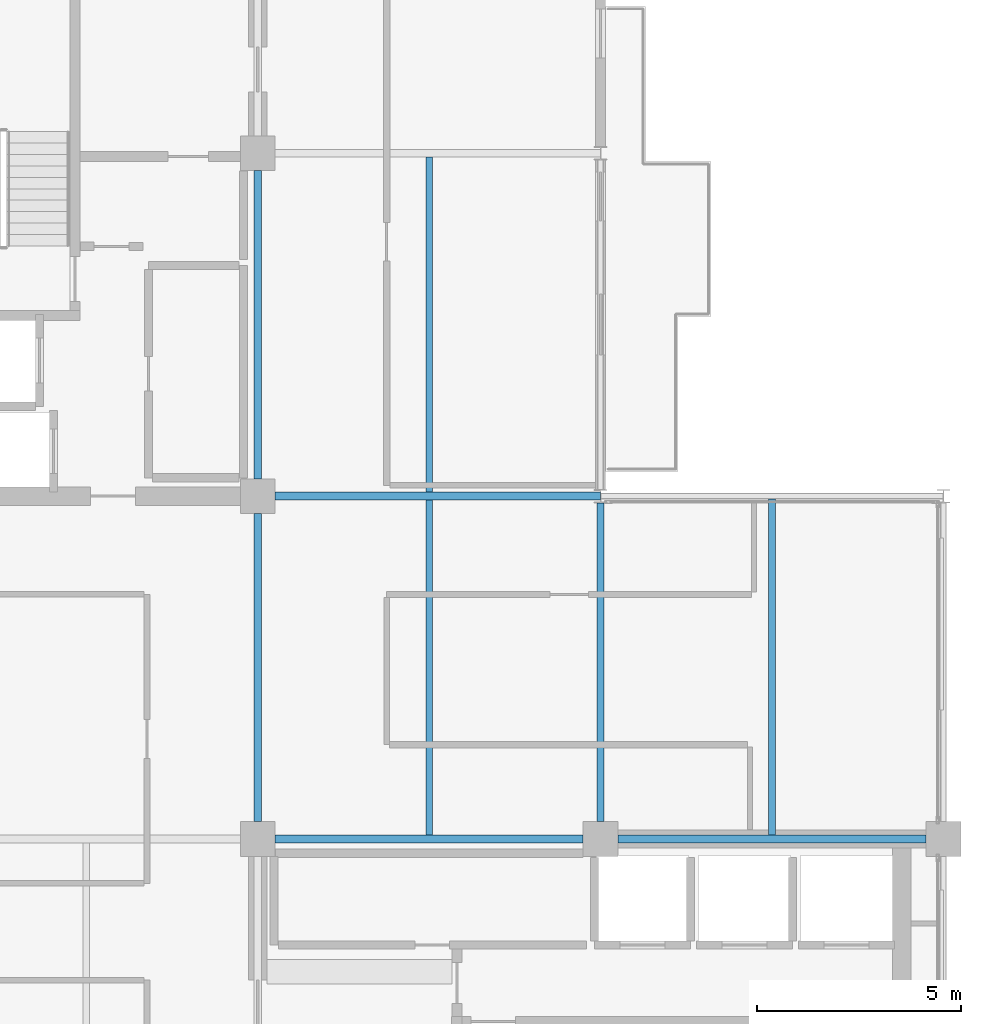
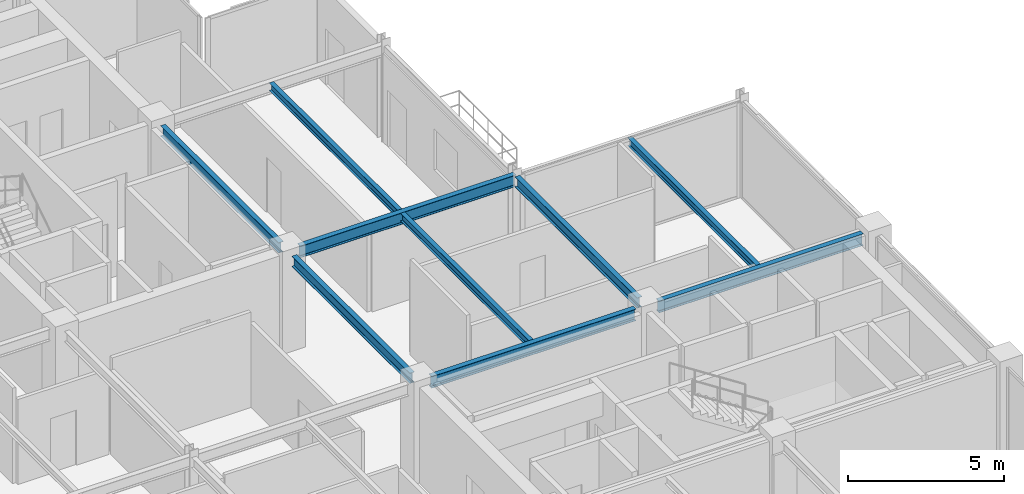
# One storey, part 12 of 24: 9 beams.
"""IFC4 building model written with IfcOpenShell, lengths in metres."""

from ifc_helpers import new_model, si_unit, direction, frame, origin, origin_2d, place, context, subcontext, project, spatial, i_section, extrude, material, material_profile, profile_set, type_object, element, save


model = new_model("IFC4")

# Units and contexts
model_context = context("Model", 3, precision=1e-05, world=origin(), true_north=direction((0.0, 1.0)))
body_context = subcontext(model_context, "Body", "Model", "MODEL_VIEW")
ifc_project = project(units=[si_unit("LENGTHUNIT", "METRE"), si_unit("AREAUNIT", "SQUARE_METRE"), si_unit("VOLUMEUNIT", "CUBIC_METRE"), si_unit("PLANEANGLEUNIT", "RADIAN"), si_unit("MASSUNIT", "GRAM", prefix="KILO")], contexts=[model_context])

# Site, building, storey
site_placement = place(None, origin())
site = spatial("IfcSite", under=ifc_project, at=site_placement, CompositionType="ELEMENT")
building_placement = place(site_placement, origin())
building = spatial("IfcBuilding", under=site, at=building_placement, Name="Nerrivon Quay Data Exchange", CompositionType="ELEMENT")
storey_placement = place(building_placement, frame((0.0, 0.0, 306.199951171875)))
storey = spatial("IfcBuildingStorey", under=building, at=storey_placement, Name="L73", CompositionType="ELEMENT", Elevation=306.199951171875)

# Beams
ifc_material = material(Name="Steel Grade 350", Category="steel")
ifc_material_profile_1 = material_profile(ifc_material, i_section(OverallWidth=0.18994140625, OverallDepth=0.4541015625, WebThickness=0.008544921875, FlangeThickness=0.0126953125, FilletRadius=0.011474609375, at=origin_2d()), Name="460UB67.1")
ifc_profile_set_1 = profile_set([ifc_material_profile_1], Name="Steel Grade 350")
beam_type_1 = type_object("IfcBeamType", Name="BM-G6-460UB67", PredefinedType="BEAM", material=ifc_profile_set_1)
beam_1_placement = place(storey_placement, frame((17.22509765625, 16.800048828125, 3.498046875), z_axis=(1.0, 0.0, 0.0), x_axis=(0.0, 1.0, 0.0)))
element("IfcBeam", 1, at=beam_1_placement, inside=storey, type_object=beam_type_1, Name="L73 EW Girder Y=16.8 (16.8..25.2)", PredefinedType="BEAM", context=body_context, shape_type="SweptSolid", body=[
    extrude(i_section(OverallWidth=0.18994140625, OverallDepth=0.4541015625, WebThickness=0.008544921875, FlangeThickness=0.0126953125, FilletRadius=0.011474609375, at=origin_2d()), origin(), (0.0, 0.0, 1.0), 7.5498046875),
])
beam_2_placement = place(storey_placement, frame((25.625, 16.800048828125, 3.498046875), z_axis=(1.0, 0.0, 0.0), x_axis=(0.0, 1.0, 0.0)))
element("IfcBeam", 2, at=beam_2_placement, inside=storey, type_object=beam_type_1, Name="L73 EW Girder Y=16.8 (25.2..33.6)", PredefinedType="BEAM", context=body_context, shape_type="SweptSolid", body=[
    extrude(i_section(OverallWidth=0.18994140625, OverallDepth=0.4541015625, WebThickness=0.008544921875, FlangeThickness=0.0126953125, FilletRadius=0.011474609375, at=origin_2d()), origin(), (0.0, 0.0, 1.0), 7.550048828125),
])
beam_3_placement = place(storey_placement, frame((17.22509765625, 25.199951171875, 3.498046875), z_axis=(1.0, 0.0, 0.0), x_axis=(0.0, 1.0, 0.0)))
element("IfcBeam", 3, at=beam_3_placement, inside=storey, type_object=beam_type_1, Name="L73 EW Girder Y=25.2 (16.8..25.2)", PredefinedType="BEAM", context=body_context, shape_type="SweptSolid", body=[
    extrude(i_section(OverallWidth=0.18994140625, OverallDepth=0.4541015625, WebThickness=0.008544921875, FlangeThickness=0.0126953125, FilletRadius=0.011474609375, at=origin_2d()), origin(), (0.0, 0.0, 1.0), 7.967041015625),
])
ifc_material_profile_2 = material_profile(ifc_material, i_section(OverallWidth=0.177978515625, OverallDepth=0.406005859375, WebThickness=0.0078125, FlangeThickness=0.0126953125, FilletRadius=0.011474609375, at=origin_2d()), Name="410UB59.7")
ifc_profile_set_2 = profile_set([ifc_material_profile_2], Name="Steel Grade 350")
beam_type_2 = type_object("IfcBeamType", Name="BM-J1-410UB60", PredefinedType="JOIST", material=ifc_profile_set_2)
beam_4_placement = place(storey_placement, frame((16.800048828125, 17.22509765625, 3.52197265625), z_axis=(0.0, 1.0, 0.0), x_axis=(-1.0, 0.0, 0.0)))
element("IfcBeam", 4, at=beam_4_placement, inside=storey, type_object=beam_type_2, Name="L73 NS Girder X=16.8 (16.8..25.2)", PredefinedType="JOIST", context=body_context, shape_type="SweptSolid", body=[
    extrude(i_section(OverallWidth=0.177978515625, OverallDepth=0.406005859375, WebThickness=0.0078125, FlangeThickness=0.0126953125, FilletRadius=0.011474609375, at=origin_2d()), origin(), (0.0, 0.0, 1.0), 7.5498046875),
])
beam_5_placement = place(storey_placement, frame((16.800048828125, 25.625, 3.52197265625), z_axis=(0.0, 1.0, 0.0), x_axis=(-1.0, 0.0, 0.0)))
element("IfcBeam", 5, at=beam_5_placement, inside=storey, type_object=beam_type_2, Name="L73 NS Girder X=16.8 (25.2..33.6)", PredefinedType="JOIST", context=body_context, shape_type="SweptSolid", body=[
    extrude(i_section(OverallWidth=0.177978515625, OverallDepth=0.406005859375, WebThickness=0.0078125, FlangeThickness=0.0126953125, FilletRadius=0.011474609375, at=origin_2d()), origin(), (0.0, 0.0, 1.0), 7.550048828125),
])
beam_6_placement = place(storey_placement, frame((25.199951171875, 17.22509765625, 3.52197265625), z_axis=(0.0, 1.0, 0.0), x_axis=(-1.0, 0.0, 0.0)))
element("IfcBeam", 6, at=beam_6_placement, inside=storey, type_object=beam_type_2, Name="L73 NS Girder X=25.2 (16.8..25.2)", PredefinedType="JOIST", context=body_context, shape_type="SweptSolid", body=[
    extrude(i_section(OverallWidth=0.177978515625, OverallDepth=0.406005859375, WebThickness=0.0078125, FlangeThickness=0.0126953125, FilletRadius=0.011474609375, at=origin_2d()), origin(), (0.0, 0.0, 1.0), 7.8115234375),
])
ifc_material_profile_3 = material_profile(ifc_material, i_section(OverallWidth=0.1650390625, OverallDepth=0.303955078125, WebThickness=0.006103515625, FlangeThickness=0.01025390625, FilletRadius=0.011474609375, at=origin_2d()), Name="310UB40.4")
ifc_profile_set_3 = profile_set([ifc_material_profile_3], Name="Steel Grade 350")
beam_type_3 = type_object("IfcBeamType", Name="BM-J6-310UB40", PredefinedType="JOIST", material=ifc_profile_set_3)
for number, where, z_axis, x_axis, name in (
    (7, (21.0, 16.89501953125, 3.572998046875), (0.0, 1.0, 0.0), (-1.0, 0.0, 0.0), "L73 Secondary Joist X=21.0 (16.8..25.2)"),
    (8, (21.0, 25.294921875, 3.572998046875), (0.0, 1.0, 0.0), (-1.0, 0.0, 0.0), "L73 Secondary Joist X=21.0 (25.2..33.6)"),
):
    element("IfcBeam", number, at=place(storey_placement, frame(where, z_axis=z_axis, x_axis=x_axis)), inside=storey, type_object=beam_type_3, Name=name, PredefinedType="JOIST", context=body_context, shape_type="SweptSolid", body=[
        extrude(i_section(OverallWidth=0.1650390625, OverallDepth=0.303955078125, WebThickness=0.006103515625, FlangeThickness=0.01025390625, FilletRadius=0.011474609375, at=origin_2d()), origin(), (0.0, 0.0, 1.0), 8.2099609375),
    ])
beam_7_placement = place(storey_placement, frame((29.39990234375, 16.89501953125, 3.572998046875), z_axis=(0.0, 1.0, 0.0), x_axis=(-1.0, 0.0, 0.0)))
element("IfcBeam", 9, at=beam_7_placement, inside=storey, type_object=beam_type_3, Name="L73 Secondary Joist X=29.4 (16.8..25.2)", PredefinedType="JOIST", context=body_context, shape_type="SweptSolid", body=[
    extrude(i_section(OverallWidth=0.1650390625, OverallDepth=0.303955078125, WebThickness=0.006103515625, FlangeThickness=0.01025390625, FilletRadius=0.011474609375, at=origin_2d()), origin(), (0.0, 0.0, 1.0), 8.22998046875),
])

save(model, "model.ifc")
